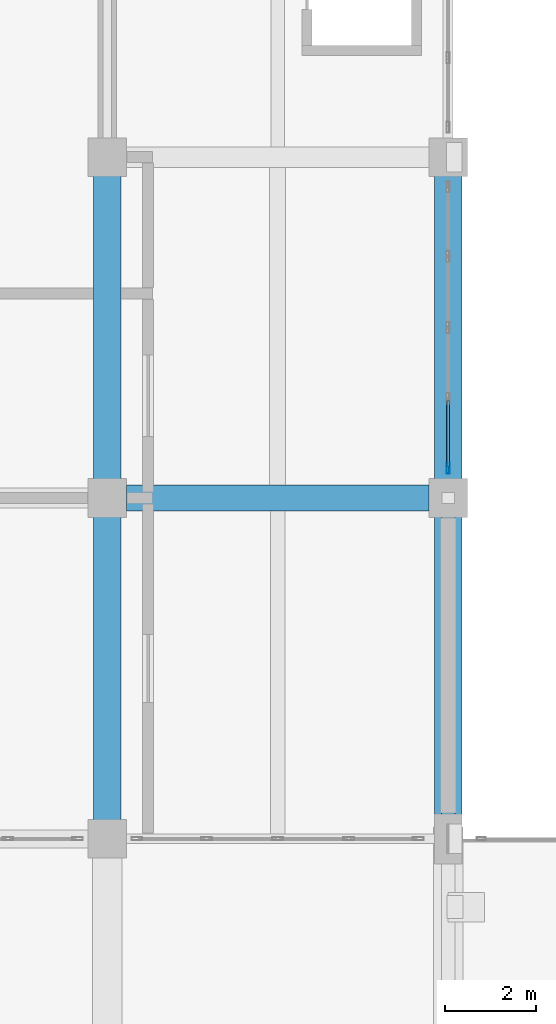
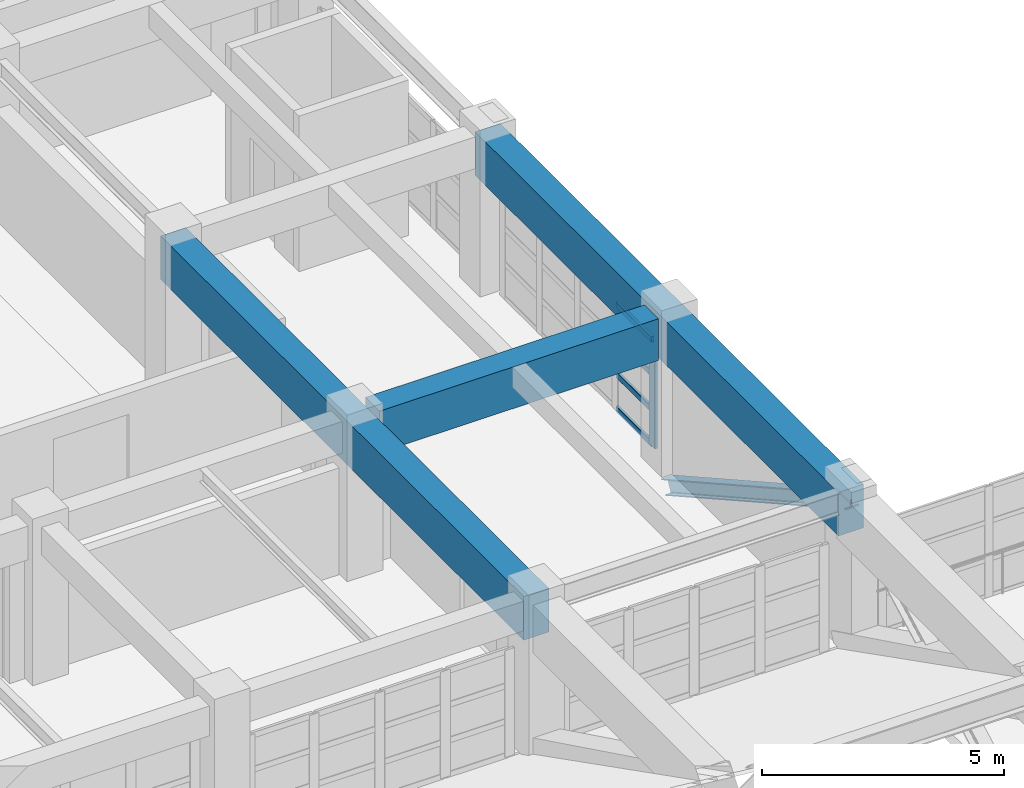
# One storey, part 38 of 132: 6 members, 3 beams, 1 element without a shape of its own.
"""IFC4 building model written with IfcOpenShell, lengths in metres."""

from ifc_helpers import new_model, si_unit, direction, frame, origin, origin_2d, place, context, subcontext, project, spatial, rectangle, hollow_rectangle, i_section, extrude, material, material_profile, profile_set, type_object, element, aggregate, save


model = new_model("IFC4")

# Units and contexts
model_context = context("Model", 3, precision=1e-05, world=origin(), true_north=direction((0.0, 1.0)))
body_context = subcontext(model_context, "Body", "Model", "MODEL_VIEW")
ifc_project = project(units=[si_unit("LENGTHUNIT", "METRE"), si_unit("AREAUNIT", "SQUARE_METRE"), si_unit("VOLUMEUNIT", "CUBIC_METRE"), si_unit("PLANEANGLEUNIT", "RADIAN"), si_unit("MASSUNIT", "GRAM", prefix="KILO")], contexts=[model_context])

# Site, building, storey
site_placement = place(None, origin())
site = spatial("IfcSite", under=ifc_project, at=site_placement, CompositionType="ELEMENT")
building_placement = place(site_placement, origin())
building = spatial("IfcBuilding", under=site, at=building_placement, Name="Qasida Concert Hall", CompositionType="ELEMENT")
storey_placement = place(building_placement, frame((0.0, 0.0, 4.800048828125)))
storey = spatial("IfcBuildingStorey", under=building, at=storey_placement, Name="L01", CompositionType="ELEMENT", Elevation=4.800048828125)

# Beams
ifc_material_1 = material(Name="Concrete C50/60", Category="concrete")
ifc_material_profile_1 = material_profile(ifc_material_1, rectangle(XDim=0.60009765625, YDim=1.10009765625, at=origin_2d()), Name="RC 600x1100")
ifc_profile_set_1 = profile_set([ifc_material_profile_1], Name="Concrete C50/60")
beam_type_1 = type_object("IfcBeamType", Name="BM-G4", PredefinedType="USERDEFINED", material=ifc_profile_set_1)
for number, where, z_axis, x_axis, name in (
    (1, (97.5, 22.5, 3.320068359375), (0.0, 1.0, 0.0), (-1.0, 0.0, 0.0), "Cantilever backspan girder CGB-003"),
    (2, (105.0, 22.5, 3.320068359375), (0.0, 1.0, 0.0), (-1.0, 0.0, 0.0), "Cantilever backspan girder CGB-004"),
):
    element("IfcBeam", number, at=place(storey_placement, frame(where, z_axis=z_axis, x_axis=x_axis)), inside=storey, type_object=beam_type_1, Name=name, ObjectType="GIRDER", PredefinedType="USERDEFINED", context=body_context, shape_type="SweptSolid", body=[
        extrude(rectangle(XDim=0.60009765625, YDim=1.10009765625, at=origin_2d()), origin(), (0.0, 0.0, 1.0), 15.0),
    ])
ifc_material_profile_2 = material_profile(ifc_material_1, rectangle(XDim=0.580078125, YDim=1.050048828125, at=origin_2d()), Name="RC 580x1050")
ifc_profile_set_2 = profile_set([ifc_material_profile_2], Name="Concrete C50/60")
beam_type_2 = type_object("IfcBeamType", Name="BM-G8", PredefinedType="USERDEFINED", material=ifc_profile_set_2)
beam_placement = place(storey_placement, frame((97.925048828125, 30.0, 3.39501953125), z_axis=(1.0, 0.0, 0.0), x_axis=(0.0, 1.0, 0.0)))
element("IfcBeam", 3, at=beam_placement, inside=storey, type_object=beam_type_2, Name="Primary girder 0773", ObjectType="GIRDER", PredefinedType="USERDEFINED", context=body_context, shape_type="SweptSolid", body=[
    extrude(rectangle(XDim=0.580078125, YDim=1.050048828125, at=origin_2d()), origin(), (0.0, 0.0, 1.0), 6.64990234375),
])

# Member
ifc_material_2 = material(Name="Steel S355J2", Category="steel")
ifc_material_profile_3 = material_profile(ifc_material_2, i_section(OverallWidth=0.300048828125, OverallDepth=0.360107421875, WebThickness=0.012451171875, FlangeThickness=0.0224609375, FilletRadius=0.027099609375, at=origin_2d()), Name="HEB 360")
ifc_profile_set_3 = profile_set([ifc_material_profile_3], Name="Steel S355J2")
member_type_1 = type_object("IfcMemberType", Name="MB-BR1", PredefinedType="BRACE", material=ifc_profile_set_3)
member_1_placement = place(storey_placement, frame((105.0, 22.5, 3.599853515625), z_axis=(0.0, 0.872508437544, -0.488599044631), x_axis=(-1.0, 0.0, 0.0)))
element("IfcMember", 4, at=member_1_placement, inside=storey, type_object=member_type_1, Name="Wall truss backspan brace WT-E-019", PredefinedType="BRACE", context=body_context, shape_type="SweptSolid", body=[
    extrude(i_section(OverallWidth=0.300048828125, OverallDepth=0.360107421875, WebThickness=0.012451171875, FlangeThickness=0.0224609375, FilletRadius=0.027099609375, at=origin_2d()), origin(), (0.0, 0.0, 1.0), 8.595947265625),
])

# Curtain wall, members
ifc_material_3 = material(Name="Architectural bronze-anodized aluminium and low-E glass", Category="aluminium")
curtain_wall_type = type_object("IfcCurtainWallType", Name="CW-02", PredefinedType="NOTDEFINED", material=ifc_material_3)
curtain_wall_placement = place(storey_placement, origin())
curtain_wall = element("IfcCurtainWall", 5, at=curtain_wall_placement, inside=storey, type_object=curtain_wall_type, Name="L01 curtain wall CW-02 0041", PredefinedType="NOTDEFINED")
ifc_material_4 = material(Name="Architectural bronze-anodized aluminium EN AW-6063", Category="aluminium")
ifc_material_profile_4 = material_profile(ifc_material_4, hollow_rectangle(XDim=0.070068359375, YDim=0.239990234375, WallThickness=0.0048828125, InnerFilletRadius=0.0048828125, OuterFilletRadius=0.010009765625, at=origin_2d()), Name="CWM 240x70x5")
ifc_profile_set_4 = profile_set([ifc_material_profile_4], Name="Architectural bronze-anodized aluminium EN AW-6063")
member_type_2 = type_object("IfcMemberType", Name="MB-CWM-1", PredefinedType="MULLION", material=ifc_profile_set_4)
member_2_placement = place(storey_placement, frame((105.0, 30.655029296875, 0.0), z_axis=(0.0, 0.0, 1.0), x_axis=(-1.0, 0.0, 0.0)))
member_2 = element("IfcMember", 6, at=member_2_placement, type_object=member_type_2, Name="CW-02 mullion 1", PredefinedType="MULLION", context=body_context, shape_type="SweptSolid", body=[
    extrude(hollow_rectangle(XDim=0.070068359375, YDim=0.239990234375, WallThickness=0.0048828125, InnerFilletRadius=0.0048828125, OuterFilletRadius=0.010009765625, at=origin_2d()), origin(), (0.0, 0.0, 1.0), 2.68994140625),
])
ifc_material_profile_5 = material_profile(ifc_material_4, hollow_rectangle(XDim=0.06494140625, YDim=0.14990234375, WallThickness=0.00390625, InnerFilletRadius=0.00390625, OuterFilletRadius=0.008056640625, at=origin_2d()), Name="CWT 150x65x4")
ifc_profile_set_5 = profile_set([ifc_material_profile_5], Name="Architectural bronze-anodized aluminium EN AW-6063")
member_type_3 = type_object("IfcMemberType", Name="MB-CWT-1", PredefinedType="USERDEFINED", material=ifc_profile_set_5)
member_3_placement = place(storey_placement, frame((105.0, 30.68994140625, 0.032470703125), z_axis=(0.0, 1.0, 0.0), x_axis=(-1.0, 0.0, 0.0)))
member_3 = element("IfcMember", 7, at=member_3_placement, type_object=member_type_3, Name="CW-02 transom 1.1", ObjectType="TRANSOM", PredefinedType="USERDEFINED", context=body_context, shape_type="SweptSolid", body=[
    extrude(hollow_rectangle(XDim=0.06494140625, YDim=0.14990234375, WallThickness=0.00390625, InnerFilletRadius=0.00390625, OuterFilletRadius=0.008056640625, at=origin_2d()), origin(), (0.0, 0.0, 1.0), 1.4599609375),
])
member_4_placement = place(storey_placement, frame((105.0, 30.68994140625, 0.896728515625), z_axis=(0.0, 1.0, 0.0), x_axis=(-1.0, 0.0, 0.0)))
member_4 = element("IfcMember", 8, at=member_4_placement, type_object=member_type_3, Name="CW-02 transom 1.2", ObjectType="TRANSOM", PredefinedType="USERDEFINED", context=body_context, shape_type="SweptSolid", body=[
    extrude(hollow_rectangle(XDim=0.06494140625, YDim=0.14990234375, WallThickness=0.00390625, InnerFilletRadius=0.00390625, OuterFilletRadius=0.008056640625, at=origin_2d()), origin(), (0.0, 0.0, 1.0), 1.4599609375),
])
member_5_placement = place(storey_placement, frame((105.0, 30.68994140625, 1.793212890625), z_axis=(0.0, 1.0, 0.0), x_axis=(-1.0, 0.0, 0.0)))
member_5 = element("IfcMember", 9, at=member_5_placement, type_object=member_type_3, Name="CW-02 transom 1.3", ObjectType="TRANSOM", PredefinedType="USERDEFINED", context=body_context, shape_type="SweptSolid", body=[
    extrude(hollow_rectangle(XDim=0.06494140625, YDim=0.14990234375, WallThickness=0.00390625, InnerFilletRadius=0.00390625, OuterFilletRadius=0.008056640625, at=origin_2d()), origin(), (0.0, 0.0, 1.0), 1.4599609375),
])
member_6_placement = place(storey_placement, frame((105.0, 30.68994140625, 2.657470703125), z_axis=(0.0, 1.0, 0.0), x_axis=(-1.0, 0.0, 0.0)))
member_6 = element("IfcMember", 10, at=member_6_placement, type_object=member_type_3, Name="CW-02 transom 1.4", ObjectType="TRANSOM", PredefinedType="USERDEFINED", context=body_context, shape_type="SweptSolid", body=[
    extrude(hollow_rectangle(XDim=0.06494140625, YDim=0.14990234375, WallThickness=0.00390625, InnerFilletRadius=0.00390625, OuterFilletRadius=0.008056640625, at=origin_2d()), origin(), (0.0, 0.0, 1.0), 1.4599609375),
])
aggregate(curtain_wall, [member_2, member_3, member_4, member_5, member_6])

save(model, "model.ifc")
